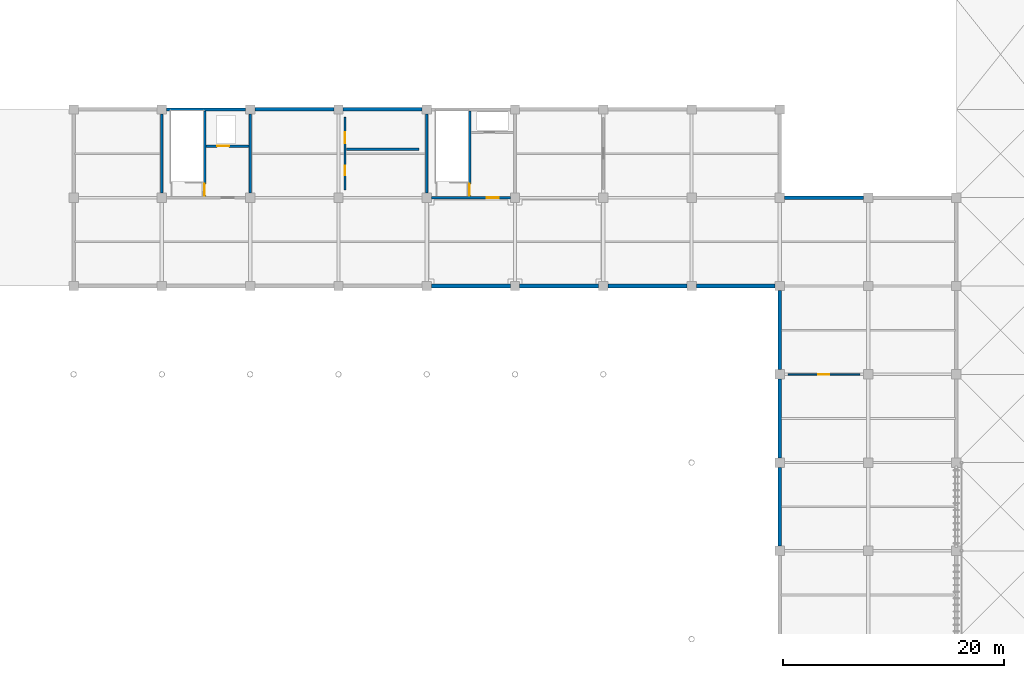
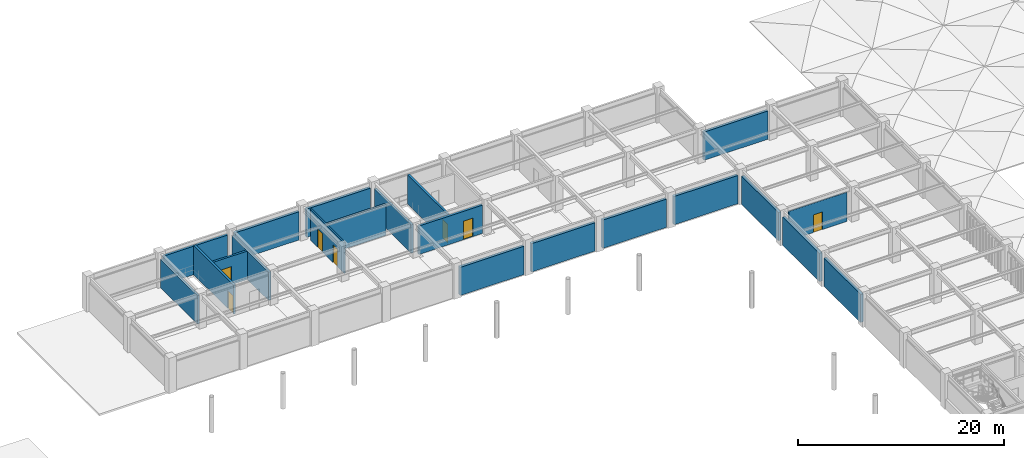
# One storey, part 61 of 78: 21 walls, 7 doors, 7 openings.
"""IFC4 building model written with IfcOpenShell, lengths in metres."""

from ifc_helpers import new_model, si_unit, direction, frame, frame_2d, origin, place, context, subcontext, project, spatial, rectangle, extrude, material, layer, layer_set, type_object, element, fill, save


model = new_model("IFC4")

# Units and contexts
model_context = context("Model", 3, precision=1e-05, world=origin(), true_north=direction((0.0, 1.0)))
body_context = subcontext(model_context, "Body", "Model", "MODEL_VIEW")
ifc_project = project(units=[si_unit("LENGTHUNIT", "METRE"), si_unit("AREAUNIT", "SQUARE_METRE"), si_unit("VOLUMEUNIT", "CUBIC_METRE"), si_unit("PLANEANGLEUNIT", "RADIAN"), si_unit("MASSUNIT", "GRAM", prefix="KILO")], contexts=[model_context])

# Site, building, storey
site_placement = place(None, origin())
site = spatial("IfcSite", under=ifc_project, at=site_placement, CompositionType="ELEMENT")
building_placement = place(site_placement, origin())
building = spatial("IfcBuilding", under=site, at=building_placement, Name="Haebicheon Civic Stadium", CompositionType="ELEMENT")
storey_placement = place(building_placement, frame((0.0, 0.0, 18.60009765625)))
storey = spatial("IfcBuildingStorey", under=building, at=storey_placement, Name="L05", CompositionType="ELEMENT", Elevation=18.60009765625)

# Walls
ifc_material_1 = material(Name="Concrete C40/50", Category="concrete")
ifc_layer_1 = layer(ifc_material_1, 0.239990234375, Name="Concrete C40/50")
ifc_layer_set_1 = layer_set([ifc_layer_1], Name="Concrete C40/50")
wall_type_1 = type_object("IfcWallType", Name="CW-SHR-240", PredefinedType="SHEAR", material=ifc_layer_set_1)
for number, where, z_axis, x_axis, name in (
    (1, (88.425048828125, 168.0, 0.0), (0.0, 0.0, 1.0), (1.0, 0.0, 0.0), "KC-08 L05 north core shear wall"),
    (2, (88.0, 160.425048828125, 0.0), (0.0, 0.0, 1.0), (0.0, 1.0, 0.0), "KC-08 L05 west core shear wall"),
    (3, (96.0, 160.425048828125, 0.0), (0.0, 0.0, 1.0), (0.0, 1.0, 0.0), "KC-08 L05 east core shear wall"),
):
    element("IfcWall", number, at=place(storey_placement, frame(where, z_axis=z_axis, x_axis=x_axis)), inside=storey, type_object=wall_type_1, material=ifc_layer_set_1, Name=name, PredefinedType="SHEAR", context=body_context, shape_type="SweptSolid", body=[
        extrude(rectangle(XDim=7.14990234375, YDim=0.239990234375, at=frame_2d((3.574951171875, 0.0))), origin(), (0.0, 0.0, 1.0), 3.369873046875),
    ])

# Wall, opening, door
wall_1_placement = place(storey_placement, frame((91.8798828125, 160.1201171875, 0.0), z_axis=(0.0, 0.0, 1.0), x_axis=(0.0, 1.0, 0.0)))
wall_1 = element("IfcWall", 4, at=wall_1_placement, inside=storey, type_object=wall_type_1, material=ifc_layer_set_1, Name="KC-08 L05 stair-lobby dividing shear wall", PredefinedType="SHEAR", context=body_context, shape_type="SweptSolid", body=[
    extrude(rectangle(XDim=7.759765625, YDim=0.239990234375, at=frame_2d((3.8798828125, 0.0))), origin(), (0.0, 0.0, 1.0), 3.469970703125),
])
opening_1_placement = place(wall_1_placement, frame((0.080078125, 0.0, 0.0)))
opening_1 = element("IfcOpeningElement", 5, at=opening_1_placement, cuts=wall_1, Name="Opening D-L05-KC-08-STR", PredefinedType="OPENING", context=body_context, shape_type="SweptSolid", body=[
    extrude(rectangle(XDim=1.050048828125, YDim=2.14990234375, at=frame_2d((0.52490234375, 1.074951171875))), frame((0.0, 0.1298828125, 0.0), z_axis=(0.0, -1.0, 0.0), x_axis=(1.0, 0.0, 0.0)), (0.0, 0.0, 1.0), 0.260009765625),
])
ifc_material_2 = material(Name="Galvanised painted steel SM355", Category="steel")
door_type_1 = type_object("IfcDoorType", Name="ID-FD-1050", OperationType="NOTDEFINED", PredefinedType="DOOR", material=ifc_material_2)
door_1_placement = place(opening_1_placement, origin())
door_1 = element("IfcDoor", 6, at=door_1_placement, inside=storey, type_object=door_type_1, material=ifc_material_2, Name="L05 ST-08 stairwell escape door", OperationType="SINGLE_SWING_RIGHT", OverallHeight=2.14990234375, OverallWidth=1.050048828125, PredefinedType="DOOR", context=body_context, shape_type="SweptSolid", body=[
    extrude(rectangle(XDim=1.050048828125, YDim=2.14990234375, at=frame_2d((0.52490234375, 1.074951171875))), frame((0.0, 0.02490234375, 0.0), z_axis=(0.0, -1.0, 0.0), x_axis=(1.0, 0.0, 0.0)), (0.0, 0.0, 1.0), 0.050048828125),
])
fill(opening_1, door_1)

wall_2_placement = place(storey_placement, frame((92.0, 164.679931640625, 0.0), z_axis=(0.0, 0.0, 1.0), x_axis=(1.0, 0.0, 0.0)))
wall_2 = element("IfcWall", 7, at=wall_2_placement, inside=storey, type_object=wall_type_1, material=ifc_layer_set_1, Name="KC-08 L05 lift shaft front wall", PredefinedType="SHEAR", context=body_context, shape_type="SweptSolid", body=[
    extrude(rectangle(XDim=3.8798828125, YDim=0.239990234375, at=frame_2d((1.93994140625, 0.0))), origin(), (0.0, 0.0, 1.0), 3.369873046875),
])
opening_2_placement = place(wall_2_placement, frame((1.0, 0.0, 0.0)))
opening_2 = element("IfcOpeningElement", 8, at=opening_2_placement, cuts=wall_2, Name="Opening LD-06-L05", PredefinedType="OPENING", context=body_context, shape_type="SweptSolid", body=[
    extrude(rectangle(XDim=1.10009765625, YDim=2.14990234375, at=frame_2d((0.550048828125, 1.074951171875))), frame((0.0, 0.1298828125, 0.0), z_axis=(0.0, -1.0, 0.0), x_axis=(1.0, 0.0, 0.0)), (0.0, 0.0, 1.0), 0.260009765625),
])
ifc_material_3 = material(Name="Stainless steel 316", Category="steel")
door_type_2 = type_object("IfcDoorType", Name="ID-LD-1100", OperationType="NOTDEFINED", PredefinedType="DOOR", material=ifc_material_3)
door_2_placement = place(opening_2_placement, origin())
door_2 = element("IfcDoor", 9, at=door_2_placement, inside=storey, type_object=door_type_2, material=ifc_material_3, Name="LF-06 lift landing sliding door L05", OperationType="SLIDING_TO_LEFT", OverallHeight=2.14990234375, OverallWidth=1.10009765625, PredefinedType="DOOR", context=body_context, shape_type="SweptSolid", body=[
    extrude(rectangle(XDim=1.10009765625, YDim=2.14990234375, at=frame_2d((0.550048828125, 1.074951171875))), frame((0.0, 0.02490234375, 0.0), z_axis=(0.0, -1.0, 0.0), x_axis=(1.0, 0.0, 0.0)), (0.0, 0.0, 1.0), 0.050048828125),
])
fill(opening_2, door_2)

wall_3_placement = place(storey_placement, frame((112.425048828125, 160.0, 0.0), z_axis=(0.0, 0.0, 1.0), x_axis=(1.0, 0.0, 0.0)))
wall_3 = element("IfcWall", 10, at=wall_3_placement, inside=storey, type_object=wall_type_1, material=ifc_layer_set_1, Name="KC-09 L05 south core shear wall", PredefinedType="SHEAR", context=body_context, shape_type="SweptSolid", body=[
    extrude(rectangle(XDim=7.14990234375, YDim=0.239990234375, at=frame_2d((3.574951171875, 0.0))), origin(), (0.0, 0.0, 1.0), 3.369873046875),
])
opening_3_placement = place(wall_3_placement, frame((5.0, 0.0, 0.0)))
opening_3 = element("IfcOpeningElement", 11, at=opening_3_placement, cuts=wall_3, Name="Opening D-L05-KC-09-LOB", PredefinedType="OPENING", context=body_context, shape_type="SweptSolid", body=[
    extrude(rectangle(XDim=1.10009765625, YDim=2.199951171875, at=frame_2d((0.550048828125, 1.10009765625))), frame((0.0, 0.1298828125, 0.0), z_axis=(0.0, -1.0, 0.0), x_axis=(1.0, 0.0, 0.0)), (0.0, 0.0, 1.0), 0.260009765625),
])
ifc_material_4 = material(Name="Galvanised painted steel SM355", Category="steel")
door_type_3 = type_object("IfcDoorType", Name="ID-FD-1100", OperationType="NOTDEFINED", PredefinedType="DOOR", material=ifc_material_4)
door_3_placement = place(opening_3_placement, origin())
door_3 = element("IfcDoor", 12, at=door_3_placement, inside=storey, type_object=door_type_3, material=ifc_material_4, Name="L05 KC-09 lobby fire door", OperationType="SINGLE_SWING_LEFT", OverallHeight=2.199951171875, OverallWidth=1.10009765625, PredefinedType="DOOR", context=body_context, shape_type="SweptSolid", body=[
    extrude(rectangle(XDim=1.10009765625, YDim=2.199951171875, at=frame_2d((0.550048828125, 1.10009765625))), frame((0.0, 0.02490234375, 0.0), z_axis=(0.0, -1.0, 0.0), x_axis=(1.0, 0.0, 0.0)), (0.0, 0.0, 1.0), 0.050048828125),
])
fill(opening_3, door_3)

# Wall
wall_4_placement = place(storey_placement, frame((112.0, 160.425048828125, 0.0), z_axis=(0.0, 0.0, 1.0), x_axis=(0.0, 1.0, 0.0)))
element("IfcWall", 13, at=wall_4_placement, inside=storey, type_object=wall_type_1, material=ifc_layer_set_1, Name="KC-09 L05 west core shear wall", PredefinedType="SHEAR", context=body_context, shape_type="SweptSolid", body=[
    extrude(rectangle(XDim=7.14990234375, YDim=0.239990234375, at=frame_2d((3.574951171875, 0.0))), origin(), (0.0, 0.0, 1.0), 3.369873046875),
])

# Wall, opening, door
wall_5_placement = place(storey_placement, frame((115.8798828125, 160.1201171875, 0.0), z_axis=(0.0, 0.0, 1.0), x_axis=(0.0, 1.0, 0.0)))
wall_5 = element("IfcWall", 14, at=wall_5_placement, inside=storey, type_object=wall_type_1, material=ifc_layer_set_1, Name="KC-09 L05 stair-lobby dividing shear wall", PredefinedType="SHEAR", context=body_context, shape_type="SweptSolid", body=[
    extrude(rectangle(XDim=7.759765625, YDim=0.239990234375, at=frame_2d((3.8798828125, 0.0))), origin(), (0.0, 0.0, 1.0), 3.469970703125),
])
opening_4_placement = place(wall_5_placement, frame((0.080078125, 0.0, 0.0)))
opening_4 = element("IfcOpeningElement", 15, at=opening_4_placement, cuts=wall_5, Name="Opening D-L05-KC-09-STR", PredefinedType="OPENING", context=body_context, shape_type="SweptSolid", body=[
    extrude(rectangle(XDim=1.050048828125, YDim=2.14990234375, at=frame_2d((0.52490234375, 1.074951171875))), frame((0.0, 0.1298828125, 0.0), z_axis=(0.0, -1.0, 0.0), x_axis=(1.0, 0.0, 0.0)), (0.0, 0.0, 1.0), 0.260009765625),
])
door_4_placement = place(opening_4_placement, origin())
door_4 = element("IfcDoor", 16, at=door_4_placement, inside=storey, type_object=door_type_1, material=ifc_material_2, Name="L05 ST-09 stairwell escape door", OperationType="SINGLE_SWING_RIGHT", OverallHeight=2.14990234375, OverallWidth=1.050048828125, PredefinedType="DOOR", context=body_context, shape_type="SweptSolid", body=[
    extrude(rectangle(XDim=1.050048828125, YDim=2.14990234375, at=frame_2d((0.52490234375, 1.074951171875))), frame((0.0, 0.02490234375, 0.0), z_axis=(0.0, -1.0, 0.0), x_axis=(1.0, 0.0, 0.0)), (0.0, 0.0, 1.0), 0.050048828125),
])
fill(opening_4, door_4)

# Walls
ifc_material_5 = material(Name="Precast concrete C40/50", Category="concrete")
ifc_layer_2 = layer(ifc_material_5, 0.320068359375, Name="Precast concrete C40/50")
ifc_layer_set_2 = layer_set([ifc_layer_2], Name="Precast concrete C40/50")
wall_type_2 = type_object("IfcWallType", Name="EW-BM-320", PredefinedType="SOLIDWALL", material=ifc_layer_set_2)
for number, where, z_axis, x_axis, name in (
    (17, (96.425048828125, 168.0, 0.0), (0.0, 0.0, 1.0), (1.0, 0.0, 0.0), "L05 board-marked concrete facade wall 12-21-N"),
    (18, (104.425048828125, 168.0, 0.0), (0.0, 0.0, 1.0), (1.0, 0.0, 0.0), "L05 board-marked concrete facade wall 13-21-N"),
    (19, (112.425048828125, 152.0, 0.0), (0.0, 0.0, 1.0), (1.0, 0.0, 0.0), "L05 board-marked concrete facade wall 14-19-S"),
    (20, (120.425048828125, 152.0, 0.0), (0.0, 0.0, 1.0), (1.0, 0.0, 0.0), "L05 board-marked concrete facade wall 15-19-S"),
    (21, (128.425048828125, 152.0, 0.0), (0.0, 0.0, 1.0), (1.0, 0.0, 0.0), "L05 board-marked concrete facade wall 16-19-S"),
    (22, (136.425048828125, 152.0, 0.0), (0.0, 0.0, 1.0), (1.0, 0.0, 0.0), "L05 board-marked concrete facade wall 17-19-S"),
):
    element("IfcWall", number, at=place(storey_placement, frame(where, z_axis=z_axis, x_axis=x_axis)), inside=storey, type_object=wall_type_2, material=ifc_layer_set_2, Name=name, PredefinedType="SOLIDWALL", context=body_context, shape_type="SweptSolid", body=[
        extrude(rectangle(XDim=7.14990234375, YDim=0.320068359375, at=frame_2d((3.574951171875, 0.0))), origin(), (0.0, 0.0, 1.0), 3.349853515625),
    ])
wall_6_placement = place(storey_placement, frame((144.0, 128.425048828125, 0.0), z_axis=(0.0, 0.0, 1.0), x_axis=(0.0, 1.0, 0.0)))
element("IfcWall", 23, at=wall_6_placement, inside=storey, type_object=wall_type_2, material=ifc_layer_set_2, Name="L05 board-marked concrete facade wall 18-16-W", PredefinedType="SOLIDWALL", context=body_context, shape_type="SweptSolid", body=[
    extrude(rectangle(XDim=7.14990234375, YDim=0.320068359375, at=frame_2d((3.574951171875, 0.0))), origin(), (0.0, 0.0, 1.0), 3.33984375),
])
for number, where, z_axis, x_axis, name in (
    (24, (144.0, 136.425048828125, 0.0), (0.0, 0.0, 1.0), (0.0, 1.0, 0.0), "L05 board-marked concrete facade wall 18-17-W"),
    (25, (144.0, 144.425048828125, 0.0), (0.0, 0.0, 1.0), (0.0, 1.0, 0.0), "L05 board-marked concrete facade wall 18-18-W"),
    (26, (144.425048828125, 160.0, 0.0), (0.0, 0.0, 1.0), (1.0, 0.0, 0.0), "L05 board-marked concrete facade wall 18-20-N"),
):
    element("IfcWall", number, at=place(storey_placement, frame(where, z_axis=z_axis, x_axis=x_axis)), inside=storey, type_object=wall_type_2, material=ifc_layer_set_2, Name=name, PredefinedType="SOLIDWALL", context=body_context, shape_type="SweptSolid", body=[
        extrude(rectangle(XDim=7.14990234375, YDim=0.320068359375, at=frame_2d((3.574951171875, 0.0))), origin(), (0.0, 0.0, 1.0), 3.349853515625),
    ])
ifc_material_6 = material(Name="Concrete C35/45", Category="concrete")
ifc_layer_3 = layer(ifc_material_6, 0.219970703125, Name="Concrete C35/45")
ifc_layer_set_3 = layer_set([ifc_layer_3], Name="Concrete C35/45")
wall_type_3 = type_object("IfcWallType", Name="IW-PLB-220", PredefinedType="PLUMBINGWALL", material=ifc_layer_set_3)
wall_7_placement = place(storey_placement, frame((104.719970703125, 164.39990234375, 0.0), z_axis=(0.0, 0.0, 1.0), x_axis=(1.0, 0.0, 0.0)))
element("IfcWall", 27, at=wall_7_placement, inside=storey, type_object=wall_type_3, material=ifc_layer_set_3, Name="L05 sanitary plumbing chase wall 17", PredefinedType="PLUMBINGWALL", context=body_context, shape_type="SweptSolid", body=[
    extrude(rectangle(XDim=6.56005859375, YDim=0.219970703125, at=frame_2d((3.280029296875, 0.0))), origin(), (0.0, 0.0, 1.0), 3.669921875),
])

# Wall, opening, door
ifc_material_7 = material(Name="Gypsum plasterboard on steel studs", Category="gypsum")
ifc_layer_4 = layer(ifc_material_7, 0.1298828125, Name="Gypsum plasterboard on steel studs")
ifc_layer_set_4 = layer_set([ifc_layer_4], Name="Gypsum plasterboard on steel studs")
wall_type_4 = type_object("IfcWallType", Name="IW-PRT-130", PredefinedType="PARTITIONING", material=ifc_layer_set_4)
wall_8_placement = place(storey_placement, frame((144.75, 144.0, 0.0), z_axis=(0.0, 0.0, 1.0), x_axis=(1.0, 0.0, 0.0)))
wall_8 = element("IfcWall", 28, at=wall_8_placement, inside=storey, type_object=wall_type_4, material=ifc_layer_set_4, Name="L05 Scoreboard Control Room partition wall", PredefinedType="PARTITIONING", context=body_context, shape_type="SweptSolid", body=[
    extrude(rectangle(XDim=6.5, YDim=0.1298828125, at=frame_2d((3.25, 0.0))), origin(), (0.0, 0.0, 1.0), 3.469970703125),
])
opening_5_placement = place(wall_8_placement, frame((2.75, 0.0, 0.0)))
opening_5 = element("IfcOpeningElement", 29, at=opening_5_placement, cuts=wall_8, Name="Opening D-L05-436", PredefinedType="OPENING", context=body_context, shape_type="SweptSolid", body=[
    extrude(rectangle(XDim=1.0, YDim=2.10009765625, at=frame_2d((0.5, 1.050048828125))), frame((0.0, 0.074951171875, 0.0), z_axis=(0.0, -1.0, 0.0), x_axis=(1.0, 0.0, 0.0)), (0.0, 0.0, 1.0), 0.14990234375),
])
ifc_material_8 = material(Name="Engineered hardwood timber", Category="wood")
door_type_4 = type_object("IfcDoorType", Name="ID-RM-1000", OperationType="NOTDEFINED", PredefinedType="DOOR", material=ifc_material_8)
door_5_placement = place(opening_5_placement, origin())
door_5 = element("IfcDoor", 30, at=door_5_placement, inside=storey, type_object=door_type_4, material=ifc_material_8, Name="L05 Scoreboard Control Room entrance door D-L05-436", OperationType="SINGLE_SWING_LEFT", OverallHeight=2.10009765625, OverallWidth=1.0, PredefinedType="DOOR", context=body_context, shape_type="SweptSolid", body=[
    extrude(rectangle(XDim=1.0, YDim=2.10009765625, at=frame_2d((0.5, 1.050048828125))), frame((0.0, 0.02490234375, 0.0), z_axis=(0.0, -1.0, 0.0), x_axis=(1.0, 0.0, 0.0)), (0.0, 0.0, 1.0), 0.050048828125),
])
fill(opening_5, door_5)

# Wall, openings, doors
ifc_material_9 = material(Name="Gypsum plasterboard on steel studs", Category="gypsum")
ifc_layer_5 = layer(ifc_material_9, 0.14990234375, Name="Gypsum plasterboard on steel studs")
ifc_layer_set_5 = layer_set([ifc_layer_5], Name="Gypsum plasterboard on steel studs")
wall_type_5 = type_object("IfcWallType", Name="IW-PRT-150", PredefinedType="PARTITIONING", material=ifc_layer_set_5)
wall_9_placement = place(storey_placement, frame((104.60009765625, 160.719970703125, 0.0), z_axis=(0.0, 0.0, 1.0), x_axis=(0.0, 1.0, 0.0)))
wall_9 = element("IfcWall", 31, at=wall_9_placement, inside=storey, type_object=wall_type_5, material=ifc_layer_set_5, Name="L05 sanitary enclosure front wall 17", PredefinedType="PARTITIONING", context=body_context, shape_type="SweptSolid", body=[
    extrude(rectangle(XDim=6.56005859375, YDim=0.14990234375, at=frame_2d((3.280029296875, 0.0))), origin(), (0.0, 0.0, 1.0), 3.669921875),
])
opening_6_placement = place(wall_9_placement, frame((1.300048828125, 0.0, 0.0)))
opening_6 = element("IfcOpeningElement", 32, at=opening_6_placement, cuts=wall_9, Name="Opening D-L05-WC-17A", PredefinedType="OPENING", context=body_context, shape_type="SweptSolid", body=[
    extrude(rectangle(XDim=0.89990234375, YDim=2.10009765625, at=frame_2d((0.449951171875, 1.050048828125))), frame((0.0, 0.0849609375, 0.0), z_axis=(0.0, -1.0, 0.0), x_axis=(1.0, 0.0, 0.0)), (0.0, 0.0, 1.0), 0.169921875),
])
opening_7_placement = place(wall_9_placement, frame((4.199951171875, 0.0, 0.0)))
opening_7 = element("IfcOpeningElement", 33, at=opening_7_placement, cuts=wall_9, Name="Opening D-L05-AWC-17B", PredefinedType="OPENING", context=body_context, shape_type="SweptSolid", body=[
    extrude(rectangle(XDim=1.0, YDim=2.14990234375, at=frame_2d((0.5, 1.074951171875))), frame((0.0, 0.0849609375, 0.0), z_axis=(0.0, -1.0, 0.0), x_axis=(1.0, 0.0, 0.0)), (0.0, 0.0, 1.0), 0.169921875),
])
ifc_material_10 = material(Name="Anodised aluminium 6063-T6", Category="aluminium")
door_type_5 = type_object("IfcDoorType", Name="ID-AWC-1000", OperationType="NOTDEFINED", PredefinedType="DOOR", material=ifc_material_10)
door_6_placement = place(opening_7_placement, origin())
door_6 = element("IfcDoor", 34, at=door_6_placement, inside=storey, type_object=door_type_5, material=ifc_material_10, Name="L05 accessible WC door 17", OperationType="SINGLE_SWING_LEFT", OverallHeight=2.14990234375, OverallWidth=1.0, PredefinedType="DOOR", context=body_context, shape_type="SweptSolid", body=[
    extrude(rectangle(XDim=1.0, YDim=2.14990234375, at=frame_2d((0.5, 1.074951171875))), frame((0.0, 0.02490234375, 0.0), z_axis=(0.0, -1.0, 0.0), x_axis=(1.0, 0.0, 0.0)), (0.0, 0.0, 1.0), 0.050048828125),
])
fill(opening_7, door_6)
ifc_material_11 = material(Name="Anodised aluminium 6063-T6", Category="aluminium")
door_type_6 = type_object("IfcDoorType", Name="ID-WC-0900", OperationType="NOTDEFINED", PredefinedType="DOOR", material=ifc_material_11)
door_7_placement = place(opening_6_placement, origin())
door_7 = element("IfcDoor", 35, at=door_7_placement, inside=storey, type_object=door_type_6, material=ifc_material_11, Name="L05 public restroom door 17", OperationType="SINGLE_SWING_RIGHT", OverallHeight=2.10009765625, OverallWidth=0.89990234375, PredefinedType="DOOR", context=body_context, shape_type="SweptSolid", body=[
    extrude(rectangle(XDim=0.89990234375, YDim=2.10009765625, at=frame_2d((0.449951171875, 1.050048828125))), frame((0.0, 0.02490234375, 0.0), z_axis=(0.0, -1.0, 0.0), x_axis=(1.0, 0.0, 0.0)), (0.0, 0.0, 1.0), 0.050048828125),
])
fill(opening_6, door_7)

save(model, "model.ifc")
